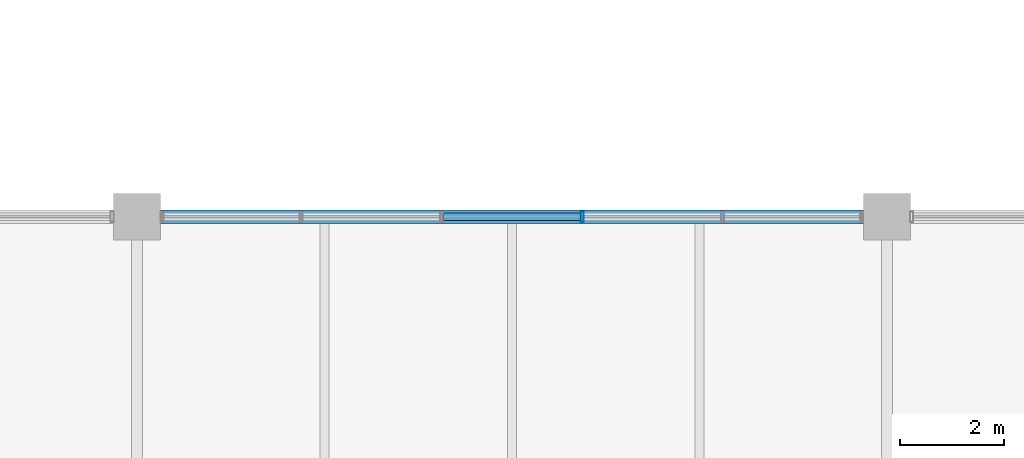
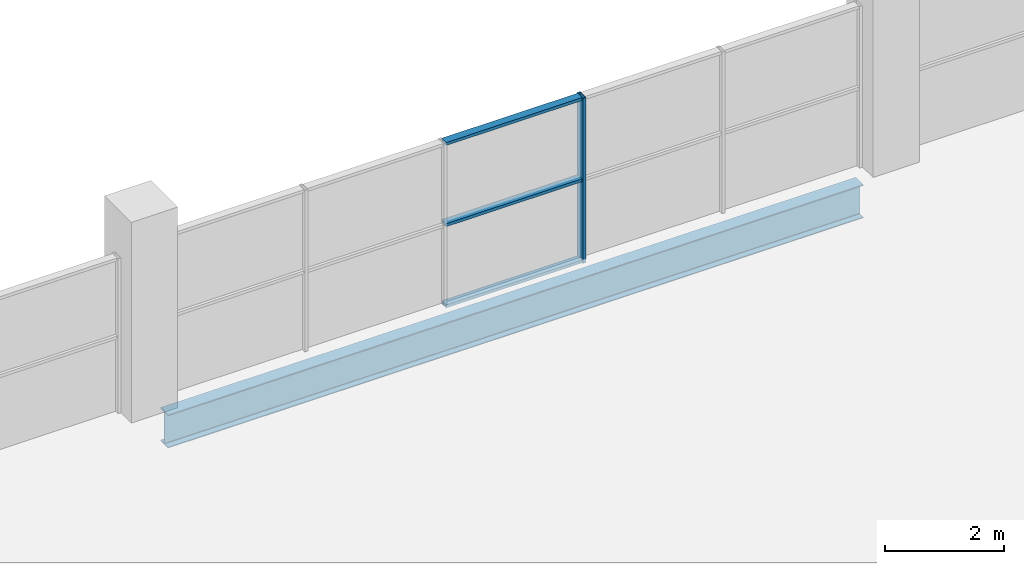
# One storey, part 15 of 93: 4 members, 1 beam, 1 element without a shape of its own.
"""IFC4 building model written with IfcOpenShell, lengths in metres."""

import ifcopenshell
import ifcopenshell.guid

model = None  # the IFC model being written
_history = None  # IfcOwnerHistory: only IFC2X3 demands one
_inside = {}  # id of a spatial element -> (the spatial element, [elements in it])
_under = {}  # id of a project, library or spatial element -> (it, [spatial elements below it])
_declared = {}  # id of a project -> (the project, [libraries it declares])
_typed = {}  # id of a type object -> (the type object, [elements of that type])
_made_of = {}  # id of a material, layer set ... -> (it, [elements and type objects made of it])


def new_model(schema):
    """Start an empty IFC model of exactly this schema.

    Asked for "IFC4X3", IfcOpenShell would pick the latest addendum, in which some entities
    have other attributes; the version numbers below select the first issue.
    IFC2X3 requires an IfcOwnerHistory on every rooted entity: one is made here for all.
    """
    global model, _history
    if schema == "IFC4X3":
        model = ifcopenshell.file(schema_version=(4, 3, 0, 0))
    else:
        model = ifcopenshell.file(schema=schema)
    _inside.clear()
    _under.clear()
    _declared.clear()
    _typed.clear()
    _made_of.clear()
    _history = None
    if model.schema == "IFC2X3":
        org = make("IfcOrganization", Name="unknown")
        user = make(
            "IfcPersonAndOrganization",
            ThePerson=make("IfcPerson", FamilyName="unknown"),
            TheOrganization=org,
        )
        app = make(
            "IfcApplication",
            ApplicationDeveloper=org,
            Version="unknown",
            ApplicationFullName="unknown",
            ApplicationIdentifier="unknown",
        )
        _history = make(
            "IfcOwnerHistory",
            OwningUser=user,
            OwningApplication=app,
            ChangeAction="ADDED",
            CreationDate=0,
        )
    return model


def make(cls, **values):
    """One entity of the class cls with the attributes given. An attribute that is None is left unset."""
    return model.create_entity(
        cls, **{name: value for name, value in values.items() if value is not None}
    )


def rooted(cls, **values):
    """An entity with a GlobalId (a new one), such as an element, a storey or a relation."""
    return make(cls, GlobalId=ifcopenshell.guid.new(), OwnerHistory=_history, **values)


def si_unit(unit_type, name, prefix=None):
    """IfcSIUnit, for example si_unit("LENGTHUNIT", "METRE", prefix="MILLI")."""
    return make("IfcSIUnit", UnitType=unit_type, Prefix=prefix, Name=name)


def assignment(units):
    """IfcUnitAssignment: the units of a project."""
    return None if units is None else make("IfcUnitAssignment", Units=units)


def point(xyz):
    """IfcCartesianPoint."""
    return None if xyz is None else make("IfcCartesianPoint", Coordinates=xyz)


def direction(xyz):
    """IfcDirection."""
    return None if xyz is None else make("IfcDirection", DirectionRatios=xyz)


def frame(location, z_axis=None, x_axis=None):
    """IfcAxis2Placement3D, a coordinate frame: its origin and axes. An axis left out is left unset."""
    return make(
        "IfcAxis2Placement3D",
        Location=point(location),
        Axis=direction(z_axis),
        RefDirection=direction(x_axis),
    )


def frame_2d(location, x_axis=None):
    """IfcAxis2Placement2D, a coordinate frame in the plane: its origin and x axis."""
    return make(
        "IfcAxis2Placement2D", Location=point(location), RefDirection=direction(x_axis)
    )


def origin():
    """The frame at (0, 0, 0) with its axes left unset."""
    return frame((0.0, 0.0, 0.0))


def origin_2d():
    """The frame at (0, 0) in the plane with its x axis left unset."""
    return frame_2d((0.0, 0.0))


def place(relative_to, where):
    """IfcLocalPlacement: puts the frame where relative to a parent placement (None: the world)."""
    return make(
        "IfcLocalPlacement", PlacementRelTo=relative_to, RelativePlacement=where
    )


def context(
    kind, dimensions, precision=None, world=None, true_north=None, identifier=None
):
    """IfcGeometricRepresentationContext, for example the 3D "Model" context."""
    return make(
        "IfcGeometricRepresentationContext",
        ContextIdentifier=identifier,
        ContextType=kind,
        CoordinateSpaceDimension=dimensions,
        Precision=precision,
        WorldCoordinateSystem=world,
        TrueNorth=true_north,
    )


def subcontext(parent, identifier, kind, view, scale=None):
    """IfcGeometricRepresentationSubContext, for example "Body" below "Model"."""
    return make(
        "IfcGeometricRepresentationSubContext",
        ContextIdentifier=identifier,
        ContextType=kind,
        ParentContext=parent,
        TargetScale=scale,
        TargetView=view,
    )


def project(units=None, contexts=None):
    """IfcProject with its units and contexts."""
    return rooted(
        "IfcProject",
        Name="project",
        RepresentationContexts=contexts,
        UnitsInContext=assignment(units),
    )


def spatial(cls, under=None, at=None, **own):
    """A site, building, storey or space (cls), placed at a placement, below another one or the project."""
    s = rooted(cls, ObjectPlacement=at, **own)
    if under is not None:
        _under.setdefault(under.id(), (under, []))[1].append(s)
    return s


def profile(cls, at=None, kind="AREA", **sizes):
    """A parametric profile (cls). Its sizes go by their IFC names, for example OverallWidth=200.0."""
    return make(cls, ProfileType=kind, Position=at, **sizes)


def hollow_rectangle(**sizes):
    """IfcRectangleHollowProfileDef."""
    return profile("IfcRectangleHollowProfileDef", **sizes)


def i_section(**sizes):
    """IfcIShapeProfileDef."""
    return profile("IfcIShapeProfileDef", **sizes)


def extrude(swept, where, along, depth):
    """IfcExtrudedAreaSolid: the profile swept, set in the frame where, extruded along a direction by depth."""
    return make(
        "IfcExtrudedAreaSolid",
        SweptArea=swept,
        Position=where,
        ExtrudedDirection=direction(along),
        Depth=depth,
    )


def shape(context_of_items, identifier, shape_type, items):
    """IfcShapeRepresentation: the items that make up one representation, for example the "Body"."""
    return make(
        "IfcShapeRepresentation",
        ContextOfItems=context_of_items,
        RepresentationIdentifier=identifier,
        RepresentationType=shape_type,
        Items=items,
    )


def material(Name=None, Category=None):
    """IfcMaterial."""
    return make("IfcMaterial", Name=Name, Category=Category)


def material_profile(
    of_material, cross_section, Name=None, Category=None, Priority=None
):
    """IfcMaterialProfile: a cross section and its material."""
    return make(
        "IfcMaterialProfile",
        Name=Name,
        Material=of_material,
        Profile=cross_section,
        Priority=Priority,
        Category=Category,
    )


def profile_set(profiles, Name=None, composite=None):
    """IfcMaterialProfileSet."""
    return make(
        "IfcMaterialProfileSet",
        Name=Name,
        MaterialProfiles=profiles,
        CompositeProfile=composite,
    )


def made_of(thing, what):
    """Note that an element or type object is made of a material, layer set ...; save() writes the relation."""
    if what is not None:
        _made_of.setdefault(what.id(), (what, []))[1].append(thing)
    return thing


def type_object(cls, material=None, **own):
    """A type object (cls), such as IfcWallType, which elements share."""
    return made_of(rooted(cls, **own), material)


def element(
    cls,
    number,
    at=None,
    inside=None,
    cuts=None,
    type_object=None,
    material=None,
    context=None,
    identifier="Body",
    shape_type=None,
    held_by="IfcProductDefinitionShape",
    body=None,
    shapes=None,
    **own,
):
    """One element of the class cls, such as IfcWall. Its Tag is "e" and its number.

    at: its placement. inside: the storey or other place that contains it. cuts: it is an
    opening in that element (IfcRelVoidsElement). A single representation is given by context,
    identifier, shape_type and body (its items); several are given by shapes. held_by: the class
    of the entity that holds the representations. save() writes the other relations.
    """
    e = rooted(cls, Tag="e%d" % number, ObjectPlacement=at, **own)
    if body is not None:
        shapes = [shape(context, identifier, shape_type, body)]
    if shapes is not None:
        e.Representation = make(held_by, Representations=shapes)
    if inside is not None:
        _inside.setdefault(inside.id(), (inside, []))[1].append(e)
    if cuts is not None:
        rooted(
            "IfcRelVoidsElement", RelatingBuildingElement=cuts, RelatedOpeningElement=e
        )
    if type_object is not None:
        _typed.setdefault(type_object.id(), (type_object, []))[1].append(e)
    return made_of(e, material)


def aggregate(whole, parts):
    """IfcRelAggregates: a whole, such as a stair, and the parts it consists of."""
    return rooted("IfcRelAggregates", RelatingObject=whole, RelatedObjects=parts)


def save(model, path):
    """Write the relations noted so far, then the file.

    IfcRelAggregates (storeys below a building ...), IfcRelContainedInSpatialStructure (elements
    in a storey), IfcRelDefinesByType, IfcRelAssociatesMaterial and IfcRelDeclares: one each for
    every whole, place, type object, material and project.
    """
    for whole, parts in _under.values():
        aggregate(whole, parts)
    for where, things in _inside.values():
        rooted(
            "IfcRelContainedInSpatialStructure",
            RelatedElements=things,
            RelatingStructure=where,
        )
    for kind, things in _typed.values():
        rooted("IfcRelDefinesByType", RelatedObjects=things, RelatingType=kind)
    for what, things in _made_of.values():
        rooted("IfcRelAssociatesMaterial", RelatedObjects=things, RelatingMaterial=what)
    for by, libraries in _declared.values():
        rooted("IfcRelDeclares", RelatingContext=by, RelatedDefinitions=libraries)
    model.write(path)


model = new_model("IFC4")

# Units and contexts
model_context = context("Model", 3, precision=1e-05, world=origin(), true_north=direction((0.0, 1.0)))
body_context = subcontext(model_context, "Body", "Model", "MODEL_VIEW")
ifc_project = project(units=[si_unit("LENGTHUNIT", "METRE"), si_unit("AREAUNIT", "SQUARE_METRE"), si_unit("VOLUMEUNIT", "CUBIC_METRE"), si_unit("PLANEANGLEUNIT", "RADIAN"), si_unit("MASSUNIT", "GRAM", prefix="KILO"), si_unit("THERMODYNAMICTEMPERATUREUNIT", "KELVIN")], contexts=[model_context])

# Site, building, storey
site_placement = place(None, origin())
site = spatial("IfcSite", under=ifc_project, at=site_placement, CompositionType="ELEMENT")
building_placement = place(site_placement, origin())
building = spatial("IfcBuilding", under=site, at=building_placement, Name="Nduvali Passage Aquatics Centre", CompositionType="ELEMENT")
storey_placement = place(building_placement, frame((0.0, 0.0, 9.0)))
storey = spatial("IfcBuildingStorey", under=building, at=storey_placement, Name="L02", CompositionType="ELEMENT", Elevation=9.0)

# Curtain wall, members
ifc_material_1 = material(Name="Aluminium EN AW-6063 T6", Category="aluminium")
curtain_wall_type = type_object("IfcCurtainWallType", Name="ENV-CW-CLER", PredefinedType="NOTDEFINED", material=ifc_material_1)
curtain_wall_placement = place(storey_placement, origin())
curtain_wall = element("IfcCurtainWall", 1, at=curtain_wall_placement, inside=storey, type_object=curtain_wall_type, Name="L02 South Pool Hall Eave Clerestory 048", PredefinedType="NOTDEFINED")
ifc_material_profile_1 = material_profile(ifc_material_1, hollow_rectangle(XDim=0.06005859375, YDim=0.199951171875, WallThickness=0.00390625, at=origin_2d()), Name="ALU MULLION 60x200x4")
ifc_profile_set_1 = profile_set([ifc_material_profile_1], Name="Aluminium EN AW-6063 T6")
member_type_1 = type_object("IfcMemberType", Name="ENV-MEM-MUL80", PredefinedType="MULLION", material=ifc_profile_set_1)
member_1_placement = place(storey_placement, frame((62.550048828125, 25.199951171875, 0.0), z_axis=(0.0, 0.0, 1.0), x_axis=(1.0, 0.0, 0.0)))
member_1 = element("IfcMember", 2, at=member_1_placement, type_object=member_type_1, Name="South Pool Hall Eave Clerestory Mullion 4", PredefinedType="MULLION", context=body_context, shape_type="SweptSolid", body=[
    extrude(hollow_rectangle(XDim=0.06005859375, YDim=0.199951171875, WallThickness=0.00390625, at=origin_2d()), origin(), (0.0, 0.0, 1.0), 3.39404296875),
])
ifc_material_profile_2 = material_profile(ifc_material_1, hollow_rectangle(XDim=0.14990234375, YDim=0.06005859375, WallThickness=0.00390625, at=origin_2d()), Name="ALU TRANSOM 150x60x4")
ifc_profile_set_2 = profile_set([ifc_material_profile_2], Name="Aluminium EN AW-6063 T6")
member_type_2 = type_object("IfcMemberType", Name="ENV-MEM-TRN80", PredefinedType="USERDEFINED", material=ifc_profile_set_2)
member_2_placement = place(storey_placement, frame((59.8798828125, 25.199951171875, 0.030029296875), z_axis=(1.0, 0.0, 0.0), x_axis=(0.0, 1.0, 0.0)))
member_2 = element("IfcMember", 3, at=member_2_placement, type_object=member_type_2, Name="South Pool Hall Eave Clerestory Transom B3-R0", ObjectType="TRANSOM", PredefinedType="USERDEFINED", context=body_context, shape_type="SweptSolid", body=[
    extrude(hollow_rectangle(XDim=0.14990234375, YDim=0.06005859375, WallThickness=0.00390625, at=origin_2d()), origin(), (0.0, 0.0, 1.0), 2.64013671875),
])
member_3_placement = place(storey_placement, frame((59.8798828125, 25.199951171875, 1.697021484375), z_axis=(1.0, 0.0, 0.0), x_axis=(0.0, 1.0, 0.0)))
member_3 = element("IfcMember", 4, at=member_3_placement, type_object=member_type_2, Name="South Pool Hall Eave Clerestory Transom B3-R1", ObjectType="TRANSOM", PredefinedType="USERDEFINED", context=body_context, shape_type="SweptSolid", body=[
    extrude(hollow_rectangle(XDim=0.14990234375, YDim=0.06005859375, WallThickness=0.00390625, at=origin_2d()), origin(), (0.0, 0.0, 1.0), 2.64013671875),
])
member_4_placement = place(storey_placement, frame((59.8798828125, 25.199951171875, 3.364013671875), z_axis=(1.0, 0.0, 0.0), x_axis=(0.0, 1.0, 0.0)))
member_4 = element("IfcMember", 5, at=member_4_placement, type_object=member_type_2, Name="South Pool Hall Eave Clerestory Transom B3-R2", ObjectType="TRANSOM", PredefinedType="USERDEFINED", context=body_context, shape_type="SweptSolid", body=[
    extrude(hollow_rectangle(XDim=0.14990234375, YDim=0.06005859375, WallThickness=0.00390625, at=origin_2d()), origin(), (0.0, 0.0, 1.0), 2.64013671875),
])
aggregate(curtain_wall, [member_1, member_2, member_3, member_4])

# Beam
ifc_material_2 = material(Name="Steel S355", Category="steel")
ifc_material_profile_3 = material_profile(ifc_material_2, i_section(OverallWidth=0.253662109375, OverallDepth=0.68359375, WebThickness=0.012451171875, FlangeThickness=0.01904296875, FilletRadius=0.01513671875, at=origin_2d()), Name="UKB 686x254x140")
ifc_profile_set_3 = profile_set([ifc_material_profile_3], Name="Steel S355")
beam_type = type_object("IfcBeamType", Name="STR-BM-UKB686-EXT", PredefinedType="BEAM", material=ifc_profile_set_3)
beam_placement = place(storey_placement, frame((54.449951171875, 25.199951171875, -0.605712890625), z_axis=(1.0, 0.0, 0.0), x_axis=(0.0, 1.0, 0.0)))
element("IfcBeam", 6, at=beam_placement, inside=storey, type_object=beam_type, Name="L02 Primary X-Girder B4E-0876", PredefinedType="BEAM", context=body_context, shape_type="SweptSolid", body=[
    extrude(i_section(OverallWidth=0.253662109375, OverallDepth=0.68359375, WebThickness=0.012451171875, FlangeThickness=0.01904296875, FilletRadius=0.01513671875, at=origin_2d()), origin(), (0.0, 0.0, 1.0), 13.5),
])

save(model, "model.ifc")
